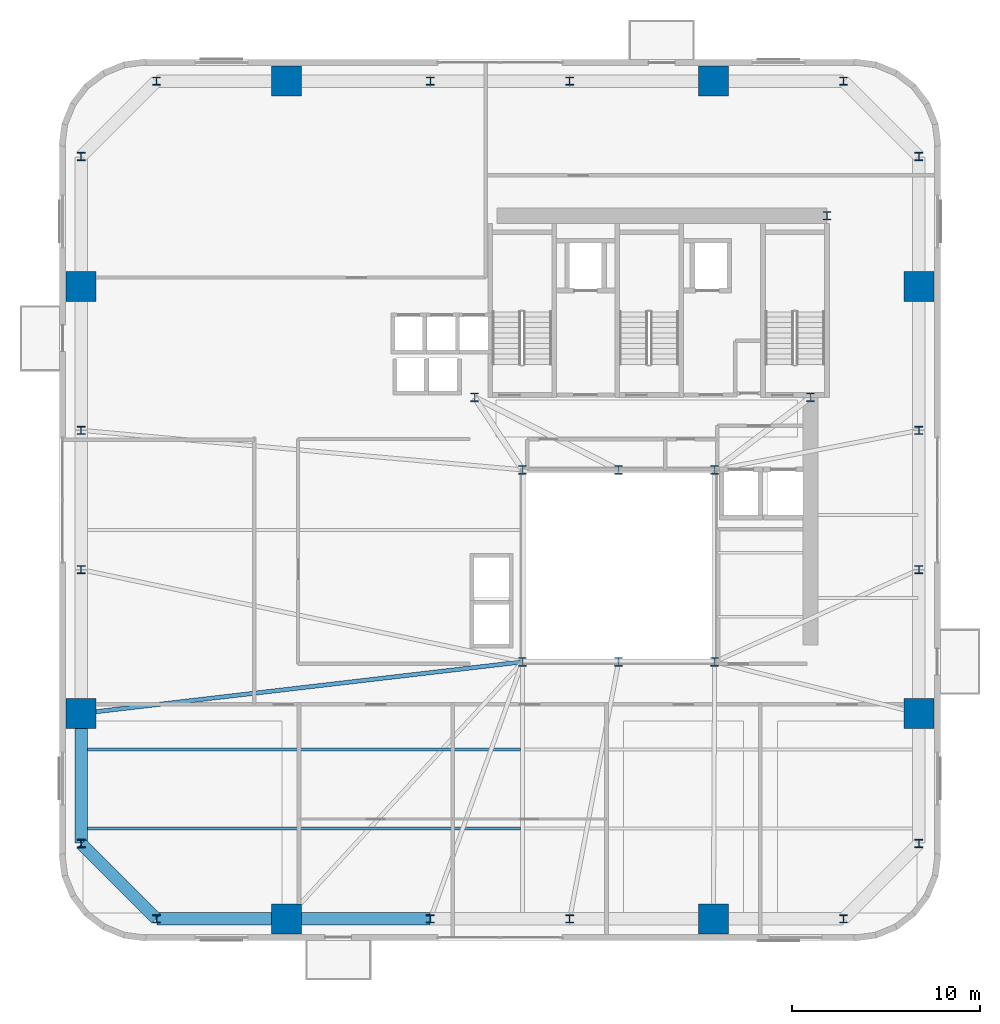
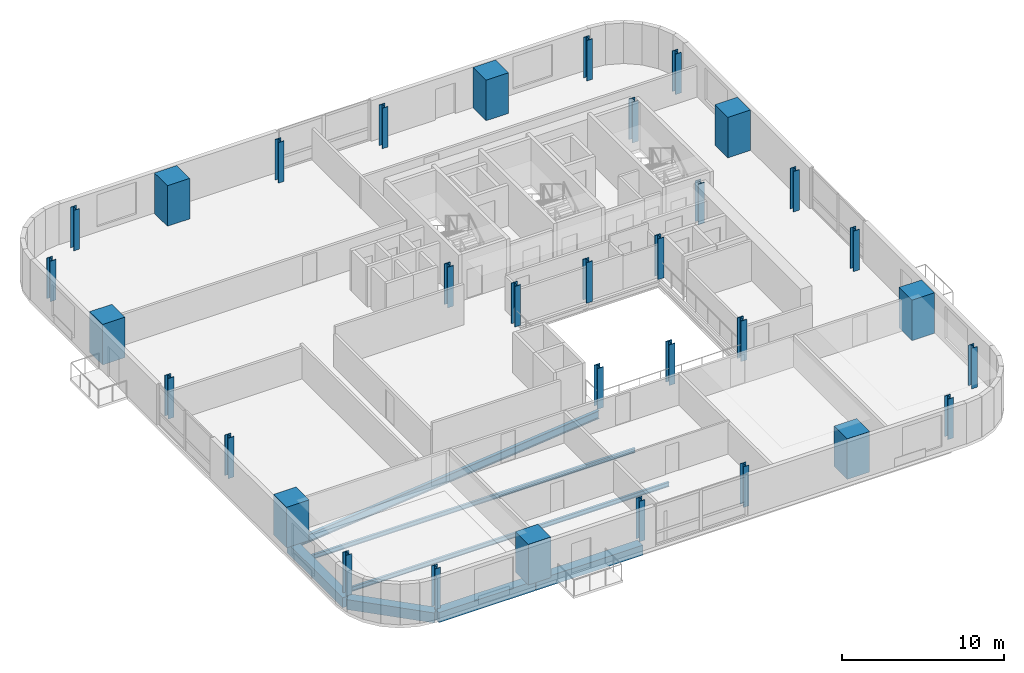
# One storey, part 1 of 14: 33 columns, 7 beams.
"""IFC4 building model written with IfcOpenShell, lengths in metres."""

from ifc_helpers import new_model, si_unit, direction, frame, origin, origin_2d, place, context, subcontext, project, spatial, rectangle, i_section, extrude, source, transform, mapped, material, material_profile, profile_set, type_object, element, save


model = new_model("IFC4")

# Units and contexts
model_context = context("Model", 3, precision=1e-05, world=origin(), true_north=direction((0.0, 1.0)))
body_context = subcontext(model_context, "Body", "Model", "MODEL_VIEW")
ifc_project = project(units=[si_unit("LENGTHUNIT", "METRE"), si_unit("AREAUNIT", "SQUARE_METRE"), si_unit("VOLUMEUNIT", "CUBIC_METRE"), si_unit("PLANEANGLEUNIT", "RADIAN"), si_unit("MASSUNIT", "GRAM", prefix="KILO")], contexts=[model_context])

# Site, building, storey
site_placement = place(None, origin())
site = spatial("IfcSite", under=ifc_project, at=site_placement, CompositionType="ELEMENT")
building_placement = place(site_placement, origin())
building = spatial("IfcBuilding", under=site, at=building_placement, Name="Vardaveli Station Tower", CompositionType="ELEMENT")
storey_placement = place(building_placement, frame((0.0, 0.0, 163.10009765625)))
storey = spatial("IfcBuildingStorey", under=building, at=storey_placement, Name="L42", CompositionType="ELEMENT", Elevation=163.10009765625)

# Columns
ifc_material_1 = material(Name="Structural steel S460M", Category="steel")
ifc_material_profile_1 = material_profile(ifc_material_1, i_section(OverallWidth=0.424072265625, OverallDepth=0.465087890625, WebThickness=0.034912109375, FlangeThickness=0.055908203125, FilletRadius=0.014892578125, at=origin_2d()), Name="HD 400x592")
ifc_profile_set_1 = profile_set([ifc_material_profile_1], Name="Structural steel S460M")
column_type_1 = type_object("IfcColumnType", Name="COL-HD592", PredefinedType="COLUMN", material=ifc_profile_set_1)
shared_shape_1 = source(origin(), body_context, "Body", "SweptSolid", [
    extrude(i_section(OverallWidth=0.424072265625, OverallDepth=0.465087890625, WebThickness=0.034912109375, FlangeThickness=0.055908203125, FilletRadius=0.014892578125, at=origin_2d()), origin(), (0.0, 0.0, 1.0), 3.0498046875),
])
for number, where, z_axis, x_axis, name in (
    (1, (31.199951171875, 16.60009765625, 0.0), (0.0, 0.0, 1.0), (1.0, 0.0, 0.0), "COL-L42-AC1"),
    (2, (36.300048828125, 16.60009765625, 0.0), (0.0, 0.0, 1.0), (1.0, 0.0, 0.0), "COL-L42-AC2"),
    (3, (41.39990234375, 16.60009765625, 0.0), (0.0, 0.0, 1.0), (1.0, 0.0, 0.0), "COL-L42-AC3"),
    (4, (41.39990234375, 26.800048828125, 0.0), (0.0, 0.0, 1.0), (1.0, 0.0, 0.0), "COL-L42-AC4"),
    (5, (36.300048828125, 26.800048828125, 0.0), (0.0, 0.0, 1.0), (1.0, 0.0, 0.0), "COL-L42-AC5"),
    (6, (31.199951171875, 26.800048828125, 0.0), (0.0, 0.0, 1.0), (1.0, 0.0, 0.0), "COL-L42-AC6"),
    (7, (28.64990234375, 30.64990234375, 0.0), (0.0, 0.0, 1.0), (1.0, 0.0, 0.0), "COL-L42-CC1"),
    (8, (46.5, 30.64990234375, 0.0), (0.0, 0.0, 1.0), (1.0, 0.0, 0.0), "COL-L42-CC2"),
    (9, (47.3701171875, 40.300048828125, 0.0), (0.0, 0.0, 1.0), (1.0, 0.0, 0.0), "COL-L42-CC3"),
):
    element("IfcColumn", number, at=place(storey_placement, frame(where, z_axis=z_axis, x_axis=x_axis)), inside=storey, type_object=column_type_1, Name=name, PredefinedType="COLUMN", context=body_context, shape_type="MappedRepresentation", body=[
        mapped(shared_shape_1, transform((0.0, 0.0, 0.0), scale=1.0)),
    ])
ifc_material_2 = material(Name="Concrete C60/75", Category="concrete")
ifc_material_profile_2 = material_profile(ifc_material_2, rectangle(XDim=1.60009765625, YDim=1.60009765625, at=origin_2d()), Name="MC 1600x1600")
ifc_profile_set_2 = profile_set([ifc_material_profile_2], Name="Concrete C60/75")
column_type_2 = type_object("IfcColumnType", Name="COL-MC-1600", PredefinedType="COLUMN", material=ifc_profile_set_2)
shared_shape_2 = source(origin(), body_context, "Body", "SweptSolid", [
    extrude(rectangle(XDim=1.60009765625, YDim=1.60009765625, at=origin_2d()), origin(), (0.0, 0.0, 1.0), 3.0498046875),
])
for number, where, z_axis, x_axis, name in (
    (10, (18.659912109375, 2.949951171875, 0.0), (0.0, 0.0, 1.0), (1.0, 0.0, 0.0), "COL-L42-MC1"),
    (11, (41.340087890625, 2.949951171875, 0.0), (0.0, 0.0, 1.0), (1.0, 0.0, 0.0), "COL-L42-MC2"),
    (12, (52.25, 13.860107421875, 0.0), (0.0, 0.0, 1.0), (1.0, 0.0, 0.0), "COL-L42-MC3"),
    (13, (52.25, 36.5400390625, 0.0), (0.0, 0.0, 1.0), (1.0, 0.0, 0.0), "COL-L42-MC4"),
    (14, (41.340087890625, 47.449951171875, 0.0), (0.0, 0.0, 1.0), (1.0, 0.0, 0.0), "COL-L42-MC5"),
    (15, (18.659912109375, 47.449951171875, 0.0), (0.0, 0.0, 1.0), (1.0, 0.0, 0.0), "COL-L42-MC6"),
    (16, (7.75, 36.5400390625, 0.0), (0.0, 0.0, 1.0), (1.0, 0.0, 0.0), "COL-L42-MC7"),
    (17, (7.75, 13.860107421875, 0.0), (0.0, 0.0, 1.0), (1.0, 0.0, 0.0), "COL-L42-MC8"),
):
    element("IfcColumn", number, at=place(storey_placement, frame(where, z_axis=z_axis, x_axis=x_axis)), inside=storey, type_object=column_type_2, Name=name, PredefinedType="COLUMN", context=body_context, shape_type="MappedRepresentation", body=[
        mapped(shared_shape_2, transform((0.0, 0.0, 0.0), scale=1.0)),
    ])
ifc_material_profile_3 = material_profile(ifc_material_1, i_section(OverallWidth=0.4140625, OverallDepth=0.431884765625, WebThickness=0.025634765625, FlangeThickness=0.0400390625, FilletRadius=0.014892578125, at=origin_2d()), Name="HD 400x421")
ifc_profile_set_3 = profile_set([ifc_material_profile_3], Name="Structural steel S460M")
column_type_3 = type_object("IfcColumnType", Name="COL-HD421", PredefinedType="COLUMN", material=ifc_profile_set_3)
shared_shape_3 = source(origin(), body_context, "Body", "SweptSolid", [
    extrude(i_section(OverallWidth=0.4140625, OverallDepth=0.431884765625, WebThickness=0.025634765625, FlangeThickness=0.0400390625, FilletRadius=0.014892578125, at=origin_2d()), origin(), (0.0, 0.0, 1.0), 3.0498046875),
])
for number, where, z_axis, x_axis, name in (
    (18, (11.75, 2.949951171875, 0.0), (0.0, 0.0, 1.0), (1.0, 0.0, 0.0), "COL-L42-PC01"),
    (19, (26.300048828125, 2.949951171875, 0.0), (0.0, 0.0, 1.0), (1.0, 0.0, 0.0), "COL-L42-PC02"),
    (20, (33.699951171875, 2.949951171875, 0.0), (0.0, 0.0, 1.0), (1.0, 0.0, 0.0), "COL-L42-PC03"),
    (21, (48.25, 2.949951171875, 0.0), (0.0, 0.0, 1.0), (1.0, 0.0, 0.0), "COL-L42-PC04"),
    (22, (52.25, 6.949951171875, 0.0), (0.0, 0.0, 1.0), (1.0, 0.0, 0.0), "COL-L42-PC05"),
    (23, (52.25, 21.5, 0.0), (0.0, 0.0, 1.0), (1.0, 0.0, 0.0), "COL-L42-PC06"),
    (24, (52.25, 28.89990234375, 0.0), (0.0, 0.0, 1.0), (1.0, 0.0, 0.0), "COL-L42-PC07"),
    (25, (52.25, 43.449951171875, 0.0), (0.0, 0.0, 1.0), (1.0, 0.0, 0.0), "COL-L42-PC08"),
    (26, (48.25, 47.449951171875, 0.0), (0.0, 0.0, 1.0), (1.0, 0.0, 0.0), "COL-L42-PC09"),
    (27, (33.699951171875, 47.449951171875, 0.0), (0.0, 0.0, 1.0), (1.0, 0.0, 0.0), "COL-L42-PC10"),
    (28, (26.300048828125, 47.449951171875, 0.0), (0.0, 0.0, 1.0), (1.0, 0.0, 0.0), "COL-L42-PC11"),
    (29, (11.75, 47.449951171875, 0.0), (0.0, 0.0, 1.0), (1.0, 0.0, 0.0), "COL-L42-PC12"),
    (30, (7.75, 43.449951171875, 0.0), (0.0, 0.0, 1.0), (1.0, 0.0, 0.0), "COL-L42-PC13"),
    (31, (7.75, 28.89990234375, 0.0), (0.0, 0.0, 1.0), (1.0, 0.0, 0.0), "COL-L42-PC14"),
    (32, (7.75, 21.5, 0.0), (0.0, 0.0, 1.0), (1.0, 0.0, 0.0), "COL-L42-PC15"),
    (33, (7.75, 6.949951171875, 0.0), (0.0, 0.0, 1.0), (1.0, 0.0, 0.0), "COL-L42-PC16"),
):
    element("IfcColumn", number, at=place(storey_placement, frame(where, z_axis=z_axis, x_axis=x_axis)), inside=storey, type_object=column_type_3, Name=name, PredefinedType="COLUMN", context=body_context, shape_type="MappedRepresentation", body=[
        mapped(shared_shape_3, transform((0.0, 0.0, 0.0), scale=1.0)),
    ])

# Beams
ifc_material_3 = material(Name="Precast concrete C45/55", Category="concrete")
ifc_material_profile_4 = material_profile(ifc_material_3, rectangle(XDim=0.64990234375, YDim=0.75, at=origin_2d()), Name="LPB 650x750")
ifc_profile_set_4 = profile_set([ifc_material_profile_4], Name="Precast concrete C45/55")
beam_type_1 = type_object("IfcBeamType", Name="BM-LPB-750", PredefinedType="BEAM", material=ifc_profile_set_4)
shared_shape_4 = source(origin(), body_context, "Body", "SweptSolid", [
    extrude(rectangle(XDim=0.64990234375, YDim=0.75, at=origin_2d()), origin(), (0.0, 0.0, 1.0), 7.60009765625),
])
beam_1_placement = place(storey_placement, frame((18.679931640625, 2.949951171875, -0.614990234375), z_axis=(1.0, 0.0, 0.0), x_axis=(0.0, 1.0, 0.0)))
element("IfcBeam", 34, at=beam_1_placement, inside=storey, type_object=beam_type_1, Name="RBM-L42-01", PredefinedType="BEAM", context=body_context, shape_type="MappedRepresentation", body=[
    mapped(shared_shape_4, transform((0.0, 0.0, 0.0), scale=1.0)),
])
shared_shape_5 = source(origin(), body_context, "Body", "SweptSolid", [
    extrude(rectangle(XDim=0.64990234375, YDim=0.75, at=origin_2d()), origin(), (0.0, 0.0, 1.0), 6.869873046875),
])
beam_2_placement = place(storey_placement, frame((11.77001953125, 2.949951171875, -0.614990234375), z_axis=(1.0, 0.0, 0.0), x_axis=(0.0, 1.0, 0.0)))
element("IfcBeam", 35, at=beam_2_placement, inside=storey, type_object=beam_type_1, Name="RBM-L42-24", PredefinedType="BEAM", context=body_context, shape_type="MappedRepresentation", body=[
    mapped(shared_shape_5, transform((0.0, 0.0, 0.0), scale=1.0)),
])
shared_shape_6 = source(origin(), body_context, "Body", "SweptSolid", [
    extrude(rectangle(XDim=0.64990234375, YDim=0.75, at=origin_2d()), origin(), (0.0, 0.0, 1.0), 5.61669921875),
])
beam_3_placement = place(storey_placement, frame((7.76416015625, 6.935791015625, -0.614990234375), z_axis=(0.707106781187, -0.707106781187, 0.0), x_axis=(0.707106781187, 0.707106781187, 0.0)))
element("IfcBeam", 36, at=beam_3_placement, inside=storey, type_object=beam_type_1, Name="RBM-L42-23", PredefinedType="BEAM", context=body_context, shape_type="MappedRepresentation", body=[
    mapped(shared_shape_6, transform((0.0, 0.0, 0.0), scale=1.0)),
])
shared_shape_7 = source(origin(), body_context, "Body", "SweptSolid", [
    extrude(rectangle(XDim=0.64990234375, YDim=0.75, at=origin_2d()), origin(), (0.0, 0.0, 1.0), 6.8701171875),
])
beam_4_placement = place(storey_placement, frame((7.75, 13.840087890625, -0.614990234375), z_axis=(0.0, -1.0, 0.0), x_axis=(1.0, 0.0, 0.0)))
element("IfcBeam", 37, at=beam_4_placement, inside=storey, type_object=beam_type_1, Name="RBM-L42-22", PredefinedType="BEAM", context=body_context, shape_type="MappedRepresentation", body=[
    mapped(shared_shape_7, transform((0.0, 0.0, 0.0), scale=1.0)),
])
ifc_material_4 = material(Name="Structural steel S355J2", Category="steel")
ifc_material_profile_5 = material_profile(ifc_material_4, i_section(OverallWidth=0.159912109375, OverallDepth=0.330078125, WebThickness=0.007568359375, FlangeThickness=0.011474609375, FilletRadius=0.01806640625, at=origin_2d()), Name="IPE 330")
ifc_profile_set_5 = profile_set([ifc_material_profile_5], Name="Structural steel S355J2")
beam_type_2 = type_object("IfcBeamType", Name="BM-IPE330", PredefinedType="JOIST", material=ifc_profile_set_5)
shared_shape_8 = source(origin(), body_context, "Body", "SweptSolid", [
    extrude(i_section(OverallWidth=0.159912109375, OverallDepth=0.330078125, WebThickness=0.007568359375, FlangeThickness=0.011474609375, FilletRadius=0.01806640625, at=origin_2d()), origin(), (0.0, 0.0, 1.0), 23.2978515625),
])
for number, where, z_axis, x_axis, name in (
    (38, (7.7900390625, 7.75, -0.405029296875), (1.0, 0.0, 0.0), (0.0, 1.0, 0.0), "SJ-L42-S01"),
    (39, (7.7900390625, 11.949951171875, -0.405029296875), (1.0, 0.0, 0.0), (0.0, 1.0, 0.0), "SJ-L42-S03"),
):
    element("IfcBeam", number, at=place(storey_placement, frame(where, z_axis=z_axis, x_axis=x_axis)), inside=storey, type_object=beam_type_2, Name=name, PredefinedType="JOIST", context=body_context, shape_type="MappedRepresentation", body=[
        mapped(shared_shape_8, transform((0.0, 0.0, 0.0), scale=1.0)),
    ])
ifc_material_profile_6 = material_profile(ifc_material_4, i_section(OverallWidth=0.219970703125, OverallDepth=0.60009765625, WebThickness=0.011962890625, FlangeThickness=0.01904296875, FilletRadius=0.02392578125, at=origin_2d()), Name="IPE 600")
ifc_profile_set_6 = profile_set([ifc_material_profile_6], Name="Structural steel S355J2")
beam_type_3 = type_object("IfcBeamType", Name="BM-IPE600", PredefinedType="BEAM", material=ifc_profile_set_6)
shared_shape_9 = source(origin(), body_context, "Body", "SweptSolid", [
    extrude(i_section(OverallWidth=0.219970703125, OverallDepth=0.60009765625, WebThickness=0.011962890625, FlangeThickness=0.01904296875, FilletRadius=0.02392578125, at=origin_2d()), origin(), (0.0, 0.0, 1.0), 23.569580078125),
])
beam_5_placement = place(storey_placement, frame((7.769775390625, 13.8623046875, -0.5400390625), z_axis=(0.993242915589, 0.11605391261, 0.0), x_axis=(-0.11605391261, 0.993242915589, 0.0)))
element("IfcBeam", 40, at=beam_5_placement, inside=storey, type_object=beam_type_3, Name="GBM-L42-10", PredefinedType="BEAM", context=body_context, shape_type="MappedRepresentation", body=[
    mapped(shared_shape_9, transform((0.0, 0.0, 0.0), scale=1.0)),
])

save(model, "model.ifc")
